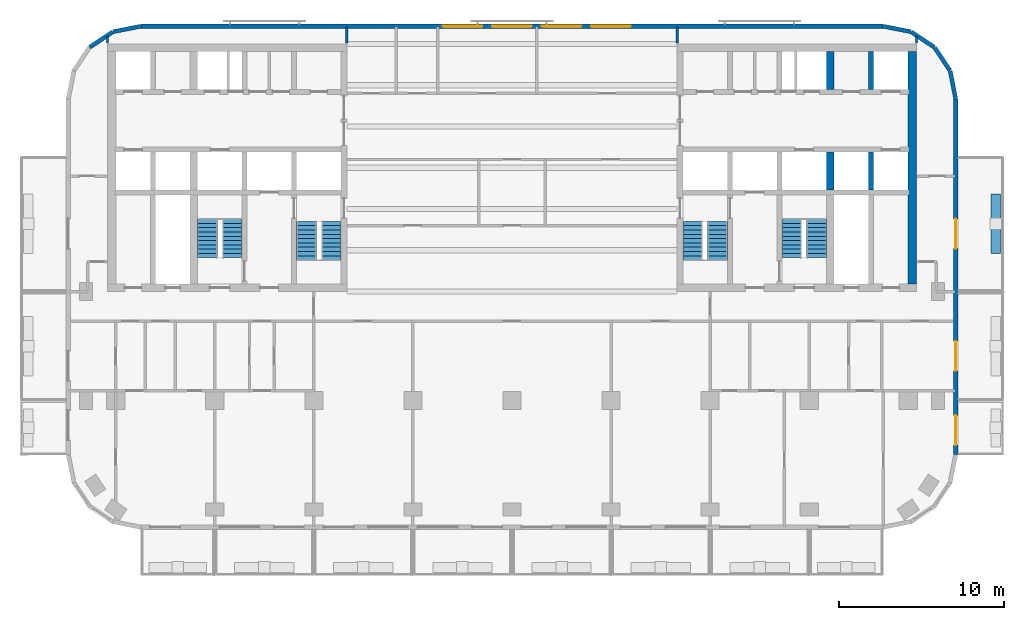
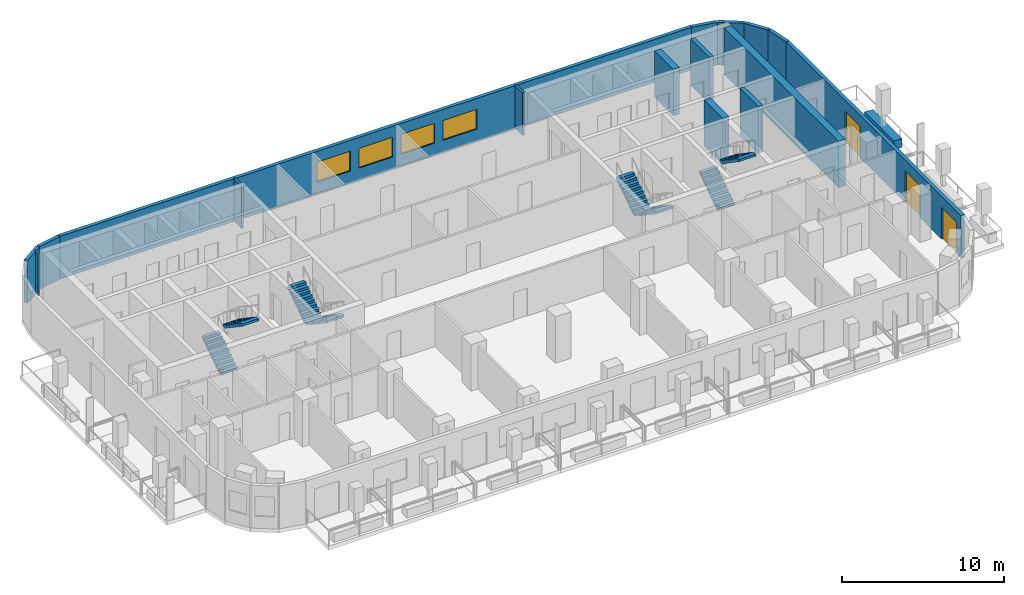
# One storey, part 7 of 11: 18 walls, 8 stair flights, 4 windows, 3 doors, 7 openings, 4 elements without a shape of their own.
"""IFC4 building model written with IfcOpenShell, lengths in metres."""

from ifc_helpers import new_model, si_unit, direction, frame, frame_2d, origin, place, context, subcontext, project, spatial, polyline, rectangle, outline, extrude, material, layer, layer_set, type_object, element, fill, aggregate, save


model = new_model("IFC4")

# Units and contexts
model_context = context("Model", 3, precision=1e-05, world=origin(), true_north=direction((0.0, 1.0)))
body_context = subcontext(model_context, "Body", "Model", "MODEL_VIEW")
ifc_project = project(units=[si_unit("LENGTHUNIT", "METRE"), si_unit("AREAUNIT", "SQUARE_METRE"), si_unit("VOLUMEUNIT", "CUBIC_METRE"), si_unit("PLANEANGLEUNIT", "RADIAN"), si_unit("MASSUNIT", "GRAM", prefix="KILO")], contexts=[model_context])

# Site, building, storey
site_placement = place(None, origin())
site = spatial("IfcSite", under=ifc_project, at=site_placement, CompositionType="ELEMENT")
building_placement = place(site_placement, origin())
building = spatial("IfcBuilding", under=site, at=building_placement, Name="Torana Hotel and Residences", CompositionType="ELEMENT")
storey_placement = place(building_placement, frame((0.0, 0.0, 215.10009765625)))
storey = spatial("IfcBuildingStorey", under=building, at=storey_placement, Name="L56", CompositionType="ELEMENT", Elevation=215.10009765625)

# Walls
ifc_material_1 = material(Name="Concrete C70/85", Category="concrete")
ifc_layer_1 = layer(ifc_material_1, 0.300048828125)
ifc_layer_set_1 = layer_set([ifc_layer_1], Name="CORE WALL 300 C70/85")
wall_type_1 = type_object("IfcWallType", Name="CORE WALL 300 C70/85", PredefinedType="SHEAR", material=ifc_layer_set_1)
for number, where, z_axis, x_axis, name in (
    (1, (21.75, -2.75, 0.0), (0.0, 0.0, 1.0), (0.0, 1.0, 0.0), "Core wall E mm-N"),
    (2, (21.75, -8.85009765625, 0.0), (0.0, 0.0, 1.0), (0.0, 1.0, 0.0), "Core wall E mm-S"),
):
    element("IfcWall", number, at=place(storey_placement, frame(where, z_axis=z_axis, x_axis=x_axis)), inside=storey, type_object=wall_type_1, Name=name, PredefinedType="SHEAR", context=body_context, shape_type="SweptSolid", body=[
        extrude(rectangle(XDim=2.300048828125, YDim=0.300048828125, at=frame_2d((1.14990234375, 0.0))), origin(), (0.0, 0.0, 1.0), 3.5),
    ])
ifc_material_2 = material(Name="Concrete C70/85", Category="concrete")
ifc_layer_2 = layer(ifc_material_2, 0.449951171875)
ifc_layer_set_2 = layer_set([ifc_layer_2], Name="CORE WALL 450 C70/85")
wall_type_2 = type_object("IfcWallType", Name="CORE WALL 450 C70/85", PredefinedType="SHEAR", material=ifc_layer_set_2)
for number, where, z_axis, x_axis, name in (
    (3, (19.27490234375, -2.75, 0.0), (0.0, 0.0, 1.0), (0.0, 1.0, 0.0), "Core wall E hm-N"),
    (4, (19.27490234375, -8.85009765625, 0.0), (0.0, 0.0, 1.0), (0.0, 1.0, 0.0), "Core wall E hm-S"),
):
    element("IfcWall", number, at=place(storey_placement, frame(where, z_axis=z_axis, x_axis=x_axis)), inside=storey, type_object=wall_type_2, Name=name, PredefinedType="SHEAR", context=body_context, shape_type="SweptSolid", body=[
        extrude(rectangle(XDim=2.300048828125, YDim=0.449951171875, at=frame_2d((1.14990234375, 0.0))), origin(), (0.0, 0.0, 1.0), 3.5),
    ])
ifc_material_3 = material(Name="Concrete C70/85", Category="concrete")
ifc_layer_3 = layer(ifc_material_3, 0.5)
ifc_layer_set_3 = layer_set([ifc_layer_3], Name="CORE WALL 500 C70/85")
wall_type_3 = type_object("IfcWallType", Name="CORE WALL 500 C70/85", PredefinedType="SHEAR", material=ifc_layer_set_3)
wall_1_placement = place(storey_placement, frame((24.25, -14.550048828125, 0.0), z_axis=(0.0, 0.0, 1.0), x_axis=(0.0, 1.0, 0.0)))
element("IfcWall", 5, at=wall_1_placement, inside=storey, type_object=wall_type_3, Name="Core wall E outer", PredefinedType="SHEAR", context=body_context, shape_type="SweptSolid", body=[
    extrude(rectangle(XDim=14.10009765625, YDim=0.5, at=frame_2d((7.050048828125, 0.0))), origin(), (0.0, 0.0, 1.0), 3.5),
])
ifc_material_4 = material(Name="Black aluminium composite panel", Category="aluminium")
ifc_layer_4 = layer(ifc_material_4, 0.00390625, Name="Cladding", Category="cladding")
ifc_material_5 = material(Name="Ventilated air cavity")
ifc_layer_5 = layer(ifc_material_5, 0.0400390625, Name="Ventilated cavity", Category="cavity")
ifc_material_6 = material(Name="Mineral wool insulation")
ifc_layer_6 = layer(ifc_material_6, 0.090087890625, Name="Insulation", Category="insulation")
ifc_material_7 = material(Name="Steel S280GD", Category="steel")
ifc_layer_7 = layer(ifc_material_7, 0.092041015625, Name="Steel stud frame", Category="structure")
ifc_material_8 = material(Name="Fire rated plasterboard")
ifc_layer_8 = layer(ifc_material_8, 0.011962890625, Name="Inner board", Category="finish")
ifc_layer_9 = layer(ifc_material_8, 0.011962890625, Name="Second board", Category="finish")
ifc_layer_set_4 = layer_set([ifc_layer_4, ifc_layer_5, ifc_layer_6, ifc_layer_7, ifc_layer_8, ifc_layer_9], Name="EW1 EXTERNAL WALL BLACK METAL CLAD 250")
wall_type_4 = type_object("IfcWallType", Name="EW1 EXTERNAL WALL BLACK METAL CLAD 250", PredefinedType="SOLIDWALL", material=ifc_layer_set_4)
wall_2_placement = place(storey_placement, frame((26.87255859375, -3.30029296875, 0.0), z_axis=(0.0, 0.0, 1.0), x_axis=(-0.194999110559, 0.980803419081, 0.0)))
element("IfcWall", 6, at=wall_2_placement, inside=storey, type_object=wall_type_4, Name="External wall L56 e0.0", PredefinedType="SOLIDWALL", context=body_context, shape_type="SweptSolid", body=[
    extrude(rectangle(XDim=1.681396484375, YDim=0.25, at=frame_2d((0.8408203125, 0.0))), origin(), (0.0, 0.0, 1.0), 3.219970703125),
])
for number, where, z_axis, x_axis, name in (
    (7, (26.52587890625, -1.60595703125, 0.0), (0.0, 0.0, 1.0), (-0.55555029066, 0.831482937015, 0.0), "External wall L56 e0.1"),
    (8, (25.5712890625, -0.1943359375, 0.0), (0.0, 0.0, 1.0), (-0.831482937015, 0.55555029066, 0.0), "External wall L56 e0.2"),
):
    element("IfcWall", number, at=place(storey_placement, frame(where, z_axis=z_axis, x_axis=x_axis)), inside=storey, type_object=wall_type_4, Name=name, PredefinedType="SOLIDWALL", context=body_context, shape_type="SweptSolid", body=[
        extrude(rectangle(XDim=1.65625, YDim=0.25, at=frame_2d((0.828125, 0.0))), origin(), (0.0, 0.0, 1.0), 3.219970703125),
    ])
for number, where, z_axis, x_axis, name in (
    (9, (24.14892578125, 0.74462890625, 0.0), (0.0, 0.0, 1.0), (-0.980803419081, 0.194999110559, 0.0), "External wall L56 e0.3"),
    (10, (-22.499755859375, 1.072509765625, 0.0), (0.0, 0.0, 1.0), (-0.980803419081, -0.194999110559, 0.0), "External wall L56 e0.5"),
):
    element("IfcWall", number, at=place(storey_placement, frame(where, z_axis=z_axis, x_axis=x_axis)), inside=storey, type_object=wall_type_4, Name=name, PredefinedType="SOLIDWALL", context=body_context, shape_type="SweptSolid", body=[
        extrude(rectangle(XDim=1.681396484375, YDim=0.25, at=frame_2d((0.8408203125, 0.0))), origin(), (0.0, 0.0, 1.0), 3.219970703125),
    ])
wall_3_placement = place(storey_placement, frame((-24.194091796875, 0.725830078125, 0.0), z_axis=(0.0, 0.0, 1.0), x_axis=(-0.831482937015, -0.55555029066, 0.0)))
element("IfcWall", 11, at=wall_3_placement, inside=storey, type_object=wall_type_4, Name="External wall L56 e0.6", PredefinedType="SOLIDWALL", context=body_context, shape_type="SweptSolid", body=[
    extrude(rectangle(XDim=1.65625, YDim=0.25, at=frame_2d((0.828125, 0.0))), origin(), (0.0, 0.0, 1.0), 3.219970703125),
])

# Wall, openings, doors
wall_4_placement = place(storey_placement, frame((26.875, -24.87548828125, 0.0), z_axis=(0.0, 0.0, 1.0), x_axis=(0.0, 1.0, 0.0)))
wall_4 = element("IfcWall", 12, at=wall_4_placement, inside=storey, type_object=wall_type_4, Name="External wall L56 e0.19", PredefinedType="SOLIDWALL", context=body_context, shape_type="SweptSolid", body=[
    extrude(rectangle(XDim=21.55078125, YDim=0.25, at=frame_2d((10.775390625, 0.0))), origin(), (0.0, 0.0, 1.0), 3.219970703125),
])
opening_1_placement = place(wall_4_placement, frame((0.575439453125, 0.0, 0.0)))
opening_1 = element("IfcOpeningElement", 13, at=opening_1_placement, cuts=wall_4, Name="Opening L56-E09", PredefinedType="OPENING", context=body_context, shape_type="SweptSolid", body=[
    extrude(rectangle(XDim=1.800048828125, YDim=2.39990234375, at=frame_2d((0.89990234375, 1.199951171875))), frame((0.0, 0.135009765625, 0.0), z_axis=(0.0, -1.0, 0.0), x_axis=(1.0, 0.0, 0.0)), (0.0, 0.0, 1.0), 0.27001953125),
])
opening_2_placement = place(wall_4_placement, frame((5.075439453125, 0.0, 0.0)))
opening_2 = element("IfcOpeningElement", 14, at=opening_2_placement, cuts=wall_4, Name="Opening L56-E10", PredefinedType="OPENING", context=body_context, shape_type="SweptSolid", body=[
    extrude(rectangle(XDim=1.800048828125, YDim=2.39990234375, at=frame_2d((0.89990234375, 1.199951171875))), frame((0.0, 0.135009765625, 0.0), z_axis=(0.0, -1.0, 0.0), x_axis=(1.0, 0.0, 0.0)), (0.0, 0.0, 1.0), 0.27001953125),
])
opening_3_placement = place(wall_4_placement, frame((12.475341796875, 0.0, 0.0)))
opening_3 = element("IfcOpeningElement", 15, at=opening_3_placement, cuts=wall_4, Name="Opening L56-E11", PredefinedType="OPENING", context=body_context, shape_type="SweptSolid", body=[
    extrude(rectangle(XDim=1.800048828125, YDim=2.39990234375, at=frame_2d((0.89990234375, 1.199951171875))), frame((0.0, 0.135009765625, 0.0), z_axis=(0.0, -1.0, 0.0), x_axis=(1.0, 0.0, 0.0)), (0.0, 0.0, 1.0), 0.27001953125),
])
ifc_material_9 = material(Name="Dark glass in black aluminium frame", Category="aluminium")
door_type = type_object("IfcDoorType", Name="DB1 BALCONY DOOR 1800x2400", OperationType="DOUBLE_DOOR_SINGLE_SWING", PredefinedType="DOOR", material=ifc_material_9)
door_1_placement = place(opening_1_placement, origin())
door_1 = element("IfcDoor", 16, at=door_1_placement, inside=storey, type_object=door_type, Name="Balcony door L56", OperationType="DOUBLE_DOOR_SINGLE_SWING", OverallHeight=2.39990234375, OverallWidth=1.800048828125, PredefinedType="DOOR", context=body_context, shape_type="SweptSolid", body=[
    extrude(rectangle(XDim=1.800048828125, YDim=2.39990234375, at=frame_2d((0.89990234375, 1.199951171875))), frame((0.0, 0.02490234375, 0.0), z_axis=(0.0, -1.0, 0.0), x_axis=(1.0, 0.0, 0.0)), (0.0, 0.0, 1.0), 0.050048828125),
])
fill(opening_1, door_1)
door_2_placement = place(opening_2_placement, origin())
door_2 = element("IfcDoor", 17, at=door_2_placement, inside=storey, type_object=door_type, Name="Balcony door L56", OperationType="DOUBLE_DOOR_SINGLE_SWING", OverallHeight=2.39990234375, OverallWidth=1.800048828125, PredefinedType="DOOR", context=body_context, shape_type="SweptSolid", body=[
    extrude(rectangle(XDim=1.800048828125, YDim=2.39990234375, at=frame_2d((0.89990234375, 1.199951171875))), frame((0.0, 0.02490234375, 0.0), z_axis=(0.0, -1.0, 0.0), x_axis=(1.0, 0.0, 0.0)), (0.0, 0.0, 1.0), 0.050048828125),
])
fill(opening_2, door_2)
door_3_placement = place(opening_3_placement, origin())
door_3 = element("IfcDoor", 18, at=door_3_placement, inside=storey, type_object=door_type, Name="Balcony door L56", OperationType="DOUBLE_DOOR_SINGLE_SWING", OverallHeight=2.39990234375, OverallWidth=1.800048828125, PredefinedType="DOOR", context=body_context, shape_type="SweptSolid", body=[
    extrude(rectangle(XDim=1.800048828125, YDim=2.39990234375, at=frame_2d((0.89990234375, 1.199951171875))), frame((0.0, 0.02490234375, 0.0), z_axis=(0.0, -1.0, 0.0), x_axis=(1.0, 0.0, 0.0)), (0.0, 0.0, 1.0), 0.050048828125),
])
fill(opening_3, door_3)

# Wall, openings, windows
ifc_material_10 = material(Name="Concrete C40/50 precast", Category="concrete")
ifc_layer_10 = layer(ifc_material_10, 0.10009765625, Name="Perforated block", Category="cladding")
ifc_material_11 = material(Name="Air cavity")
ifc_layer_11 = layer(ifc_material_11, 0.030029296875, Name="Cavity", Category="cavity")
ifc_material_12 = material(Name="Concrete C40/50", Category="concrete")
ifc_layer_12 = layer(ifc_material_12, 0.10009765625, Name="Wall", Category="structure")
ifc_material_13 = material(Name="Plaster and paint")
ifc_layer_13 = layer(ifc_material_13, 0.02001953125, Name="Inner finish", Category="finish")
ifc_layer_set_5 = layer_set([ifc_layer_10, ifc_layer_11, ifc_layer_12, ifc_layer_13], Name="EW2 PERFORATED BLOCK SCREEN WALL 250")
wall_type_5 = type_object("IfcWallType", Name="EW2 PERFORATED BLOCK SCREEN WALL 250", PredefinedType="SOLIDWALL", material=ifc_layer_set_5)
wall_5_placement = place(storey_placement, frame((22.475341796875, 1.074951171875, 0.0), z_axis=(0.0, 0.0, 1.0), x_axis=(-1.0, 0.0, 0.0)))
wall_5 = element("IfcWall", 19, at=wall_5_placement, inside=storey, type_object=wall_type_5, Name="External wall L56 e0.4", PredefinedType="SOLIDWALL", context=body_context, shape_type="SweptSolid", body=[
    extrude(rectangle(XDim=44.95068359375, YDim=0.25, at=frame_2d((22.475341796875, 0.0))), origin(), (0.0, 0.0, 1.0), 3.219970703125),
])
opening_4_placement = place(wall_5_placement, frame((15.275390625, 0.0, 0.89990234375)))
opening_4 = element("IfcOpeningElement", 20, at=opening_4_placement, cuts=wall_5, Name="Opening W3", PredefinedType="OPENING", context=body_context, shape_type="SweptSolid", body=[
    extrude(rectangle(XDim=2.39990234375, YDim=1.5, at=frame_2d((1.199951171875, 0.75))), frame((0.0, 0.135009765625, 0.0), z_axis=(0.0, -1.0, 0.0), x_axis=(1.0, 0.0, 0.0)), (0.0, 0.0, 1.0), 0.27001953125),
])
opening_5_placement = place(wall_5_placement, frame((18.275390625, 0.0, 0.89990234375)))
opening_5 = element("IfcOpeningElement", 21, at=opening_5_placement, cuts=wall_5, Name="Opening W3", PredefinedType="OPENING", context=body_context, shape_type="SweptSolid", body=[
    extrude(rectangle(XDim=2.39990234375, YDim=1.5, at=frame_2d((1.199951171875, 0.75))), frame((0.0, 0.135009765625, 0.0), z_axis=(0.0, -1.0, 0.0), x_axis=(1.0, 0.0, 0.0)), (0.0, 0.0, 1.0), 0.27001953125),
])
opening_6_placement = place(wall_5_placement, frame((21.275390625, 0.0, 0.89990234375)))
opening_6 = element("IfcOpeningElement", 22, at=opening_6_placement, cuts=wall_5, Name="Opening W3", PredefinedType="OPENING", context=body_context, shape_type="SweptSolid", body=[
    extrude(rectangle(XDim=2.39990234375, YDim=1.5, at=frame_2d((1.199951171875, 0.75))), frame((0.0, 0.135009765625, 0.0), z_axis=(0.0, -1.0, 0.0), x_axis=(1.0, 0.0, 0.0)), (0.0, 0.0, 1.0), 0.27001953125),
])
opening_7_placement = place(wall_5_placement, frame((24.275390625, 0.0, 0.89990234375)))
opening_7 = element("IfcOpeningElement", 23, at=opening_7_placement, cuts=wall_5, Name="Opening W3", PredefinedType="OPENING", context=body_context, shape_type="SweptSolid", body=[
    extrude(rectangle(XDim=2.39990234375, YDim=1.5, at=frame_2d((1.199951171875, 0.75))), frame((0.0, 0.135009765625, 0.0), z_axis=(0.0, -1.0, 0.0), x_axis=(1.0, 0.0, 0.0)), (0.0, 0.0, 1.0), 0.27001953125),
])
ifc_material_14 = material(Name="Dark glass in black aluminium frame", Category="aluminium")
window_type = type_object("IfcWindowType", Name="W3 RESIDENCE WINDOW 2400x1500", PartitioningType="SINGLE_PANEL", PredefinedType="WINDOW", material=ifc_material_14)
window_1_placement = place(opening_4_placement, origin())
window_1 = element("IfcWindow", 24, at=window_1_placement, inside=storey, type_object=window_type, Name="Window L56", OverallHeight=1.5, OverallWidth=2.39990234375, PartitioningType="SINGLE_PANEL", PredefinedType="WINDOW", context=body_context, shape_type="SweptSolid", body=[
    extrude(rectangle(XDim=2.39990234375, YDim=1.5, at=frame_2d((1.199951171875, 0.75))), frame((0.0, 0.030029296875, 0.0), z_axis=(0.0, -1.0, 0.0), x_axis=(1.0, 0.0, 0.0)), (0.0, 0.0, 1.0), 0.06005859375),
])
fill(opening_4, window_1)
window_2_placement = place(opening_5_placement, origin())
window_2 = element("IfcWindow", 25, at=window_2_placement, inside=storey, type_object=window_type, Name="Window L56", OverallHeight=1.5, OverallWidth=2.39990234375, PartitioningType="SINGLE_PANEL", PredefinedType="WINDOW", context=body_context, shape_type="SweptSolid", body=[
    extrude(rectangle(XDim=2.39990234375, YDim=1.5, at=frame_2d((1.199951171875, 0.75))), frame((0.0, 0.030029296875, 0.0), z_axis=(0.0, -1.0, 0.0), x_axis=(1.0, 0.0, 0.0)), (0.0, 0.0, 1.0), 0.06005859375),
])
fill(opening_5, window_2)
window_3_placement = place(opening_6_placement, origin())
window_3 = element("IfcWindow", 26, at=window_3_placement, inside=storey, type_object=window_type, Name="Window L56", OverallHeight=1.5, OverallWidth=2.39990234375, PartitioningType="SINGLE_PANEL", PredefinedType="WINDOW", context=body_context, shape_type="SweptSolid", body=[
    extrude(rectangle(XDim=2.39990234375, YDim=1.5, at=frame_2d((1.199951171875, 0.75))), frame((0.0, 0.030029296875, 0.0), z_axis=(0.0, -1.0, 0.0), x_axis=(1.0, 0.0, 0.0)), (0.0, 0.0, 1.0), 0.06005859375),
])
fill(opening_6, window_3)
window_4_placement = place(opening_7_placement, origin())
window_4 = element("IfcWindow", 27, at=window_4_placement, inside=storey, type_object=window_type, Name="Window L56", OverallHeight=1.5, OverallWidth=2.39990234375, PartitioningType="SINGLE_PANEL", PredefinedType="WINDOW", context=body_context, shape_type="SweptSolid", body=[
    extrude(rectangle(XDim=2.39990234375, YDim=1.5, at=frame_2d((1.199951171875, 0.75))), frame((0.0, 0.030029296875, 0.0), z_axis=(0.0, -1.0, 0.0), x_axis=(1.0, 0.0, 0.0)), (0.0, 0.0, 1.0), 0.06005859375),
])
fill(opening_7, window_4)

# Walls
ifc_material_15 = material(Name="Gypsum plasterboard")
ifc_layer_14 = layer(ifc_material_15, 0.012451171875, Name="Plasterboard", Category="finish")
ifc_layer_15 = layer(ifc_material_15, 0.012451171875, Name="Plasterboard", Category="finish")
ifc_layer_16 = layer(ifc_material_7, 0.10009765625, Name="Steel studs with mineral wool", Category="insulation")
ifc_layer_17 = layer(ifc_material_15, 0.012451171875, Name="Plasterboard", Category="finish")
ifc_layer_18 = layer(ifc_material_15, 0.012451171875, Name="Plasterboard", Category="finish")
ifc_layer_set_6 = layer_set([ifc_layer_14, ifc_layer_15, ifc_layer_16, ifc_layer_17, ifc_layer_18], Name="PARTITION 150 PLASTERBOARD")
wall_type_6 = type_object("IfcWallType", Name="PARTITION 150 PLASTERBOARD", PredefinedType="PARTITIONING", material=ifc_layer_set_6)
wall_6_placement = place(storey_placement, frame((24.5, 0.050048828125, 0.0), z_axis=(0.0, 0.0, 1.0), x_axis=(0.0, 1.0, 0.0)))
element("IfcWall", 28, at=wall_6_placement, inside=storey, type_object=wall_type_6, Name="Partition L56", PredefinedType="PARTITIONING", context=body_context, shape_type="SweptSolid", body=[
    extrude(rectangle(XDim=0.4052734375, YDim=0.14990234375, at=frame_2d((0.20263671875, 0.0))), origin(), (0.0, 0.0, 1.0), 3.219970703125),
])
wall_7_placement = place(storey_placement, frame((10.0, 0.050048828125, 0.0), z_axis=(0.0, 0.0, 1.0), x_axis=(0.0, 1.0, 0.0)))
element("IfcWall", 29, at=wall_7_placement, inside=storey, type_object=wall_type_6, Name="Partition L56", PredefinedType="PARTITIONING", context=body_context, shape_type="SweptSolid", body=[
    extrude(rectangle(XDim=0.969970703125, YDim=0.14990234375, at=frame_2d((0.48486328125, 0.0))), origin(), (0.0, 0.0, 1.0), 3.219970703125),
])
wall_8_placement = place(storey_placement, frame((-24.5, 0.050048828125, 0.0), z_axis=(0.0, 0.0, 1.0), x_axis=(0.0, 1.0, 0.0)))
element("IfcWall", 30, at=wall_8_placement, inside=storey, type_object=wall_type_6, Name="Partition L56", PredefinedType="PARTITIONING", context=body_context, shape_type="SweptSolid", body=[
    extrude(rectangle(XDim=0.4052734375, YDim=0.14990234375, at=frame_2d((0.20263671875, 0.0))), origin(), (0.0, 0.0, 1.0), 3.219970703125),
])
ifc_layer_19 = layer(ifc_material_10, 0.10009765625, Name="Planter shell", Category="structure")
ifc_material_16 = material(Name="Root resistant membrane")
ifc_layer_20 = layer(ifc_material_16, 0.00390625, Name="Waterproofing membrane", Category="membrane")
ifc_material_17 = material(Name="Drainage board with filter fleece")
ifc_layer_21 = layer(ifc_material_17, 0.02001953125, Name="Drainage board", Category="drainage")
ifc_material_18 = material(Name="Growing medium")
ifc_layer_22 = layer(ifc_material_18, 0.47607421875, Name="Planting substrate", Category="soil")
ifc_layer_set_7 = layer_set([ifc_layer_19, ifc_layer_20, ifc_layer_21, ifc_layer_22], Name="PL1 BALCONY PLANTER 600")
wall_type_7 = type_object("IfcWallType", Name="PL1 BALCONY PLANTER 600", PredefinedType="USERDEFINED", material=ifc_layer_set_7)
wall_9_placement = place(storey_placement, frame((29.300048828125, -9.10009765625, 0.0), z_axis=(0.0, 0.0, 1.0), x_axis=(0.0, -1.0, 0.0)))
element("IfcWall", 31, at=wall_9_placement, inside=storey, type_object=wall_type_7, Name="Planter 14", ObjectType="PLANTER", PredefinedType="USERDEFINED", context=body_context, shape_type="SweptSolid", body=[
    extrude(rectangle(XDim=3.599853515625, YDim=0.60009765625, at=frame_2d((1.7998046875, 0.0))), origin(), (0.0, 0.0, 1.0), 0.64990234375),
])
ifc_material_19 = material(Name="Ceramic tile on adhesive")
ifc_layer_23 = layer(ifc_material_19, 0.010009765625, Name="Wall tile", Category="finish")
ifc_material_20 = material(Name="Cement render")
ifc_layer_24 = layer(ifc_material_20, 0.010009765625, Name="Render", Category="finish")
ifc_material_21 = material(Name="Concrete blockwork", Category="masonry")
ifc_layer_25 = layer(ifc_material_21, 0.110107421875, Name="Blockwork", Category="structure")
ifc_layer_26 = layer(ifc_material_20, 0.010009765625, Name="Render", Category="finish")
ifc_layer_27 = layer(ifc_material_19, 0.010009765625, Name="Wall tile", Category="finish")
ifc_layer_set_8 = layer_set([ifc_layer_23, ifc_layer_24, ifc_layer_25, ifc_layer_26, ifc_layer_27], Name="WC PARTITION 150")
wall_type_8 = type_object("IfcWallType", Name="WC PARTITION 150", PredefinedType="PLUMBINGWALL", material=ifc_layer_set_8)
wall_10_placement = place(storey_placement, frame((-10.0, 0.050048828125, 0.0), z_axis=(0.0, 0.0, 1.0), x_axis=(0.0, 1.0, 0.0)))
element("IfcWall", 32, at=wall_10_placement, inside=storey, type_object=wall_type_8, Name="Partition L56", PredefinedType="PLUMBINGWALL", context=body_context, shape_type="SweptSolid", body=[
    extrude(rectangle(XDim=0.969970703125, YDim=0.14990234375, at=frame_2d((0.48486328125, 0.0))), origin(), (0.0, 0.0, 1.0), 3.219970703125),
])

# Stair, stair flights
ifc_material_22 = material(Name="Concrete C40/50 precast", Category="concrete")
stair_type_1 = type_object("IfcStairType", Name="STAIR ST1 HALF TURN 1200", PredefinedType="HALF_TURN_STAIR", material=ifc_material_22)
stair_1_placement = place(storey_placement, origin())
stair_1 = element("IfcStair", 33, at=stair_1_placement, inside=storey, type_object=stair_type_1, Name="Stair ST1 L56", PredefinedType="HALF_TURN_STAIR")
ifc_material_23 = material(Name="Concrete C40/50 precast", Category="concrete")
stair_flight_type = type_object("IfcStairFlightType", Name="STAIR FLIGHT 1200 PRECAST", PredefinedType="STRAIGHT", material=ifc_material_23)
stair_flight_1_placement = place(storey_placement, frame((-10.949951171875, -10.75, 0.0), z_axis=(0.0, 0.0, 1.0), x_axis=(0.0, -1.0, 0.0)))
stair_flight_1 = element("IfcStairFlight", 34, at=stair_flight_1_placement, type_object=stair_flight_type, Name="ST1 flight 1", NumberOfRisers=10, NumberOfTreads=9, PredefinedType="STRAIGHT", RiserHeight=0.175, TreadLength=0.26, context=body_context, shape_type="SweptSolid", body=[
    extrude(outline(polyline([(0.0, 0.0), (0.0, 0.175048828125), (0.260009765625, 0.175048828125), (0.260009765625, 0.35009765625), (0.52001953125, 0.35009765625), (0.52001953125, 0.52490234375), (0.780029296875, 0.52490234375), (0.780029296875, 0.699951171875), (1.0400390625, 0.699951171875), (1.0400390625, 0.875), (1.300048828125, 0.875), (1.300048828125, 1.050048828125), (1.56005859375, 1.050048828125), (1.56005859375, 1.22509765625), (1.820068359375, 1.22509765625), (1.820068359375, 1.39990234375), (2.080078125, 1.39990234375), (2.080078125, 1.574951171875), (2.340087890625, 1.574951171875), (2.340087890625, 1.75), (2.340087890625, 1.394287109375), (0.2685546875, 0.0), (0.0, 0.0)])), frame((0.0, 0.60009765625, 0.0), z_axis=(0.0, -1.0, 0.0), x_axis=(1.0, 0.0, 0.0)), (0.0, 0.0, 1.0), 1.199951171875),
])
stair_flight_2_placement = place(storey_placement, frame((-12.449951171875, -13.090087890625, 1.75), z_axis=(0.0, 0.0, 1.0), x_axis=(0.0, 1.0, 0.0)))
stair_flight_2 = element("IfcStairFlight", 35, at=stair_flight_2_placement, type_object=stair_flight_type, Name="ST1 flight 2", NumberOfRisers=10, NumberOfTreads=9, PredefinedType="STRAIGHT", RiserHeight=0.175, TreadLength=0.26, context=body_context, shape_type="SweptSolid", body=[
    extrude(outline(polyline([(0.0, 0.0), (0.0, 0.175048828125), (0.260009765625, 0.175048828125), (0.260009765625, 0.35009765625), (0.52001953125, 0.35009765625), (0.52001953125, 0.52490234375), (0.780029296875, 0.52490234375), (0.780029296875, 0.699951171875), (1.0400390625, 0.699951171875), (1.0400390625, 0.875), (1.300048828125, 0.875), (1.300048828125, 1.050048828125), (1.56005859375, 1.050048828125), (1.56005859375, 1.22509765625), (1.820068359375, 1.22509765625), (1.820068359375, 1.39990234375), (2.080078125, 1.39990234375), (2.080078125, 1.574951171875), (2.340087890625, 1.574951171875), (2.340087890625, 1.75), (2.340087890625, 1.394287109375), (0.2685546875, 0.0), (0.0, 0.0)])), frame((0.0, 0.60009765625, 0.0), z_axis=(0.0, -1.0, 0.0), x_axis=(1.0, 0.0, 0.0)), (0.0, 0.0, 1.0), 1.199951171875),
])
aggregate(stair_1, [stair_flight_1, stair_flight_2])

ifc_material_24 = material(Name="Concrete C40/50 precast", Category="concrete")
stair_type_2 = type_object("IfcStairType", Name="STAIR ST2 HALF TURN 1200", PredefinedType="HALF_TURN_STAIR", material=ifc_material_24)
stair_2_placement = place(storey_placement, origin())
stair_2 = element("IfcStair", 36, at=stair_2_placement, inside=storey, type_object=stair_type_2, Name="Stair ST2 L56", PredefinedType="HALF_TURN_STAIR")
stair_flight_3_placement = place(storey_placement, frame((-18.449951171875, -12.949951171875, 0.0), z_axis=(0.0, 0.0, 1.0), x_axis=(0.0, 1.0, 0.0)))
stair_flight_3 = element("IfcStairFlight", 37, at=stair_flight_3_placement, type_object=stair_flight_type, Name="ST2 flight 1", NumberOfRisers=10, NumberOfTreads=9, PredefinedType="STRAIGHT", RiserHeight=0.175, TreadLength=0.26, context=body_context, shape_type="SweptSolid", body=[
    extrude(outline(polyline([(0.0, 0.0), (0.0, 0.175048828125), (0.260009765625, 0.175048828125), (0.260009765625, 0.35009765625), (0.52001953125, 0.35009765625), (0.52001953125, 0.52490234375), (0.780029296875, 0.52490234375), (0.780029296875, 0.699951171875), (1.0400390625, 0.699951171875), (1.0400390625, 0.875), (1.300048828125, 0.875), (1.300048828125, 1.050048828125), (1.56005859375, 1.050048828125), (1.56005859375, 1.22509765625), (1.820068359375, 1.22509765625), (1.820068359375, 1.39990234375), (2.080078125, 1.39990234375), (2.080078125, 1.574951171875), (2.340087890625, 1.574951171875), (2.340087890625, 1.75), (2.340087890625, 1.394287109375), (0.2685546875, 0.0), (0.0, 0.0)])), frame((0.0, 0.60009765625, 0.0), z_axis=(0.0, -1.0, 0.0), x_axis=(1.0, 0.0, 0.0)), (0.0, 0.0, 1.0), 1.199951171875),
])
stair_flight_4_placement = place(storey_placement, frame((-16.949951171875, -10.610107421875, 1.75), z_axis=(0.0, 0.0, 1.0), x_axis=(0.0, -1.0, 0.0)))
stair_flight_4 = element("IfcStairFlight", 38, at=stair_flight_4_placement, type_object=stair_flight_type, Name="ST2 flight 2", NumberOfRisers=10, NumberOfTreads=9, PredefinedType="STRAIGHT", RiserHeight=0.175, TreadLength=0.26, context=body_context, shape_type="SweptSolid", body=[
    extrude(outline(polyline([(0.0, 0.0), (0.0, 0.175048828125), (0.260009765625, 0.175048828125), (0.260009765625, 0.35009765625), (0.52001953125, 0.35009765625), (0.52001953125, 0.52490234375), (0.780029296875, 0.52490234375), (0.780029296875, 0.699951171875), (1.0400390625, 0.699951171875), (1.0400390625, 0.875), (1.300048828125, 0.875), (1.300048828125, 1.050048828125), (1.56005859375, 1.050048828125), (1.56005859375, 1.22509765625), (1.820068359375, 1.22509765625), (1.820068359375, 1.39990234375), (2.080078125, 1.39990234375), (2.080078125, 1.574951171875), (2.340087890625, 1.574951171875), (2.340087890625, 1.75), (2.340087890625, 1.394287109375), (0.2685546875, 0.0), (0.0, 0.0)])), frame((0.0, 0.60009765625, 0.0), z_axis=(0.0, -1.0, 0.0), x_axis=(1.0, 0.0, 0.0)), (0.0, 0.0, 1.0), 1.199951171875),
])
aggregate(stair_2, [stair_flight_3, stair_flight_4])

ifc_material_25 = material(Name="Concrete C40/50 precast", Category="concrete")
stair_type_3 = type_object("IfcStairType", Name="STAIR ST3 HALF TURN 1200", PredefinedType="HALF_TURN_STAIR", material=ifc_material_25)
stair_3_placement = place(storey_placement, origin())
stair_3 = element("IfcStair", 39, at=stair_3_placement, inside=storey, type_object=stair_type_3, Name="Stair ST3 L56", PredefinedType="HALF_TURN_STAIR")
stair_flight_5_placement = place(storey_placement, frame((12.449951171875, -10.75, 0.0), z_axis=(0.0, 0.0, 1.0), x_axis=(0.0, -1.0, 0.0)))
stair_flight_5 = element("IfcStairFlight", 40, at=stair_flight_5_placement, type_object=stair_flight_type, Name="ST3 flight 1", NumberOfRisers=10, NumberOfTreads=9, PredefinedType="STRAIGHT", RiserHeight=0.175, TreadLength=0.26, context=body_context, shape_type="SweptSolid", body=[
    extrude(outline(polyline([(0.0, 0.0), (0.0, 0.175048828125), (0.260009765625, 0.175048828125), (0.260009765625, 0.35009765625), (0.52001953125, 0.35009765625), (0.52001953125, 0.52490234375), (0.780029296875, 0.52490234375), (0.780029296875, 0.699951171875), (1.0400390625, 0.699951171875), (1.0400390625, 0.875), (1.300048828125, 0.875), (1.300048828125, 1.050048828125), (1.56005859375, 1.050048828125), (1.56005859375, 1.22509765625), (1.820068359375, 1.22509765625), (1.820068359375, 1.39990234375), (2.080078125, 1.39990234375), (2.080078125, 1.574951171875), (2.340087890625, 1.574951171875), (2.340087890625, 1.75), (2.340087890625, 1.394287109375), (0.2685546875, 0.0), (0.0, 0.0)])), frame((0.0, 0.60009765625, 0.0), z_axis=(0.0, -1.0, 0.0), x_axis=(1.0, 0.0, 0.0)), (0.0, 0.0, 1.0), 1.199951171875),
])
stair_flight_6_placement = place(storey_placement, frame((10.949951171875, -13.090087890625, 1.75), z_axis=(0.0, 0.0, 1.0), x_axis=(0.0, 1.0, 0.0)))
stair_flight_6 = element("IfcStairFlight", 41, at=stair_flight_6_placement, type_object=stair_flight_type, Name="ST3 flight 2", NumberOfRisers=10, NumberOfTreads=9, PredefinedType="STRAIGHT", RiserHeight=0.175, TreadLength=0.26, context=body_context, shape_type="SweptSolid", body=[
    extrude(outline(polyline([(0.0, 0.0), (0.0, 0.175048828125), (0.260009765625, 0.175048828125), (0.260009765625, 0.35009765625), (0.52001953125, 0.35009765625), (0.52001953125, 0.52490234375), (0.780029296875, 0.52490234375), (0.780029296875, 0.699951171875), (1.0400390625, 0.699951171875), (1.0400390625, 0.875), (1.300048828125, 0.875), (1.300048828125, 1.050048828125), (1.56005859375, 1.050048828125), (1.56005859375, 1.22509765625), (1.820068359375, 1.22509765625), (1.820068359375, 1.39990234375), (2.080078125, 1.39990234375), (2.080078125, 1.574951171875), (2.340087890625, 1.574951171875), (2.340087890625, 1.75), (2.340087890625, 1.394287109375), (0.2685546875, 0.0), (0.0, 0.0)])), frame((0.0, 0.60009765625, 0.0), z_axis=(0.0, -1.0, 0.0), x_axis=(1.0, 0.0, 0.0)), (0.0, 0.0, 1.0), 1.199951171875),
])
aggregate(stair_3, [stair_flight_5, stair_flight_6])

ifc_material_26 = material(Name="Concrete C40/50 precast", Category="concrete")
stair_type_4 = type_object("IfcStairType", Name="STAIR ST4 HALF TURN 1200", PredefinedType="HALF_TURN_STAIR", material=ifc_material_26)
stair_4_placement = place(storey_placement, origin())
stair_4 = element("IfcStair", 42, at=stair_4_placement, inside=storey, type_object=stair_type_4, Name="Stair ST4 L56", PredefinedType="HALF_TURN_STAIR")
stair_flight_7_placement = place(storey_placement, frame((16.949951171875, -12.949951171875, 0.0), z_axis=(0.0, 0.0, 1.0), x_axis=(0.0, 1.0, 0.0)))
stair_flight_7 = element("IfcStairFlight", 43, at=stair_flight_7_placement, type_object=stair_flight_type, Name="ST4 flight 1", NumberOfRisers=10, NumberOfTreads=9, PredefinedType="STRAIGHT", RiserHeight=0.175, TreadLength=0.26, context=body_context, shape_type="SweptSolid", body=[
    extrude(outline(polyline([(0.0, 0.0), (0.0, 0.175048828125), (0.260009765625, 0.175048828125), (0.260009765625, 0.35009765625), (0.52001953125, 0.35009765625), (0.52001953125, 0.52490234375), (0.780029296875, 0.52490234375), (0.780029296875, 0.699951171875), (1.0400390625, 0.699951171875), (1.0400390625, 0.875), (1.300048828125, 0.875), (1.300048828125, 1.050048828125), (1.56005859375, 1.050048828125), (1.56005859375, 1.22509765625), (1.820068359375, 1.22509765625), (1.820068359375, 1.39990234375), (2.080078125, 1.39990234375), (2.080078125, 1.574951171875), (2.340087890625, 1.574951171875), (2.340087890625, 1.75), (2.340087890625, 1.394287109375), (0.2685546875, 0.0), (0.0, 0.0)])), frame((0.0, 0.60009765625, 0.0), z_axis=(0.0, -1.0, 0.0), x_axis=(1.0, 0.0, 0.0)), (0.0, 0.0, 1.0), 1.199951171875),
])
stair_flight_8_placement = place(storey_placement, frame((18.449951171875, -10.610107421875, 1.75), z_axis=(0.0, 0.0, 1.0), x_axis=(0.0, -1.0, 0.0)))
stair_flight_8 = element("IfcStairFlight", 44, at=stair_flight_8_placement, type_object=stair_flight_type, Name="ST4 flight 2", NumberOfRisers=10, NumberOfTreads=9, PredefinedType="STRAIGHT", RiserHeight=0.175, TreadLength=0.26, context=body_context, shape_type="SweptSolid", body=[
    extrude(outline(polyline([(0.0, 0.0), (0.0, 0.175048828125), (0.260009765625, 0.175048828125), (0.260009765625, 0.35009765625), (0.52001953125, 0.35009765625), (0.52001953125, 0.52490234375), (0.780029296875, 0.52490234375), (0.780029296875, 0.699951171875), (1.0400390625, 0.699951171875), (1.0400390625, 0.875), (1.300048828125, 0.875), (1.300048828125, 1.050048828125), (1.56005859375, 1.050048828125), (1.56005859375, 1.22509765625), (1.820068359375, 1.22509765625), (1.820068359375, 1.39990234375), (2.080078125, 1.39990234375), (2.080078125, 1.574951171875), (2.340087890625, 1.574951171875), (2.340087890625, 1.75), (2.340087890625, 1.394287109375), (0.2685546875, 0.0), (0.0, 0.0)])), frame((0.0, 0.60009765625, 0.0), z_axis=(0.0, -1.0, 0.0), x_axis=(1.0, 0.0, 0.0)), (0.0, 0.0, 1.0), 1.199951171875),
])
aggregate(stair_4, [stair_flight_7, stair_flight_8])

save(model, "model.ifc")
